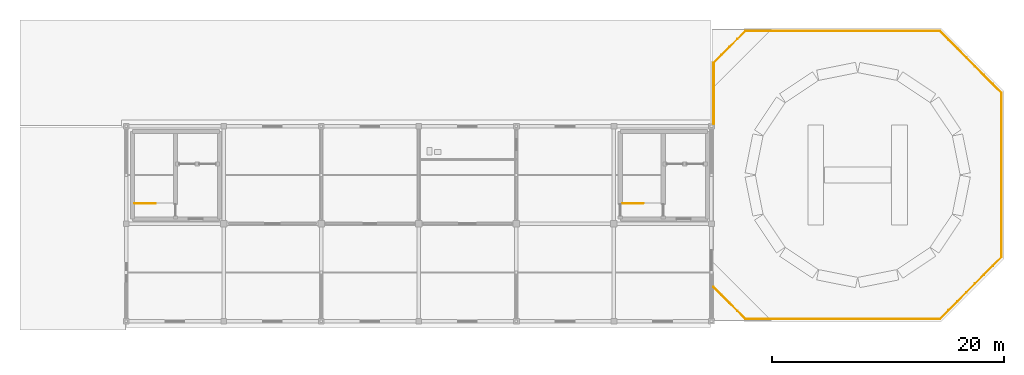
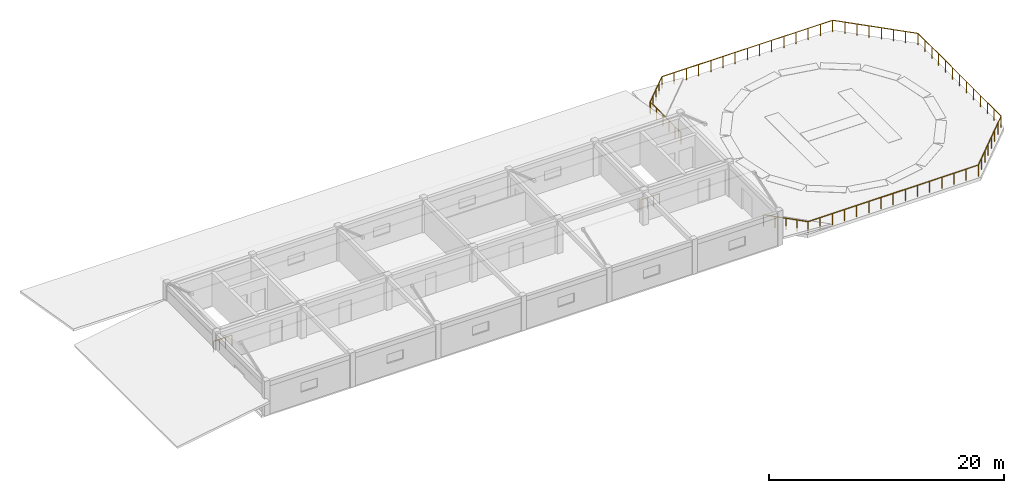
# One storey, part 4 of 5: 10 railings.
"""IFC4 building model written with IfcOpenShell, lengths in metres."""

import ifcopenshell
import ifcopenshell.guid

model = None  # the IFC model being written
_history = None  # IfcOwnerHistory: only IFC2X3 demands one
_inside = {}  # id of a spatial element -> (the spatial element, [elements in it])
_under = {}  # id of a project, library or spatial element -> (it, [spatial elements below it])
_declared = {}  # id of a project -> (the project, [libraries it declares])
_typed = {}  # id of a type object -> (the type object, [elements of that type])
_made_of = {}  # id of a material, layer set ... -> (it, [elements and type objects made of it])


def new_model(schema):
    """Start an empty IFC model of exactly this schema.

    Asked for "IFC4X3", IfcOpenShell would pick the latest addendum, in which some entities
    have other attributes; the version numbers below select the first issue.
    IFC2X3 requires an IfcOwnerHistory on every rooted entity: one is made here for all.
    """
    global model, _history
    if schema == "IFC4X3":
        model = ifcopenshell.file(schema_version=(4, 3, 0, 0))
    else:
        model = ifcopenshell.file(schema=schema)
    _inside.clear()
    _under.clear()
    _declared.clear()
    _typed.clear()
    _made_of.clear()
    _history = None
    if model.schema == "IFC2X3":
        org = make("IfcOrganization", Name="unknown")
        user = make(
            "IfcPersonAndOrganization",
            ThePerson=make("IfcPerson", FamilyName="unknown"),
            TheOrganization=org,
        )
        app = make(
            "IfcApplication",
            ApplicationDeveloper=org,
            Version="unknown",
            ApplicationFullName="unknown",
            ApplicationIdentifier="unknown",
        )
        _history = make(
            "IfcOwnerHistory",
            OwningUser=user,
            OwningApplication=app,
            ChangeAction="ADDED",
            CreationDate=0,
        )
    return model


def make(cls, **values):
    """One entity of the class cls with the attributes given. An attribute that is None is left unset."""
    return model.create_entity(
        cls, **{name: value for name, value in values.items() if value is not None}
    )


def rooted(cls, **values):
    """An entity with a GlobalId (a new one), such as an element, a storey or a relation."""
    return make(cls, GlobalId=ifcopenshell.guid.new(), OwnerHistory=_history, **values)


def si_unit(unit_type, name, prefix=None):
    """IfcSIUnit, for example si_unit("LENGTHUNIT", "METRE", prefix="MILLI")."""
    return make("IfcSIUnit", UnitType=unit_type, Prefix=prefix, Name=name)


def assignment(units):
    """IfcUnitAssignment: the units of a project."""
    return None if units is None else make("IfcUnitAssignment", Units=units)


def point(xyz):
    """IfcCartesianPoint."""
    return None if xyz is None else make("IfcCartesianPoint", Coordinates=xyz)


def direction(xyz):
    """IfcDirection."""
    return None if xyz is None else make("IfcDirection", DirectionRatios=xyz)


def frame(location, z_axis=None, x_axis=None):
    """IfcAxis2Placement3D, a coordinate frame: its origin and axes. An axis left out is left unset."""
    return make(
        "IfcAxis2Placement3D",
        Location=point(location),
        Axis=direction(z_axis),
        RefDirection=direction(x_axis),
    )


def frame_2d(location, x_axis=None):
    """IfcAxis2Placement2D, a coordinate frame in the plane: its origin and x axis."""
    return make(
        "IfcAxis2Placement2D", Location=point(location), RefDirection=direction(x_axis)
    )


def origin():
    """The frame at (0, 0, 0) with its axes left unset."""
    return frame((0.0, 0.0, 0.0))


def origin_2d():
    """The frame at (0, 0) in the plane with its x axis left unset."""
    return frame_2d((0.0, 0.0))


def place(relative_to, where):
    """IfcLocalPlacement: puts the frame where relative to a parent placement (None: the world)."""
    return make(
        "IfcLocalPlacement", PlacementRelTo=relative_to, RelativePlacement=where
    )


def context(
    kind, dimensions, precision=None, world=None, true_north=None, identifier=None
):
    """IfcGeometricRepresentationContext, for example the 3D "Model" context."""
    return make(
        "IfcGeometricRepresentationContext",
        ContextIdentifier=identifier,
        ContextType=kind,
        CoordinateSpaceDimension=dimensions,
        Precision=precision,
        WorldCoordinateSystem=world,
        TrueNorth=true_north,
    )


def subcontext(parent, identifier, kind, view, scale=None):
    """IfcGeometricRepresentationSubContext, for example "Body" below "Model"."""
    return make(
        "IfcGeometricRepresentationSubContext",
        ContextIdentifier=identifier,
        ContextType=kind,
        ParentContext=parent,
        TargetScale=scale,
        TargetView=view,
    )


def project(units=None, contexts=None):
    """IfcProject with its units and contexts."""
    return rooted(
        "IfcProject",
        Name="project",
        RepresentationContexts=contexts,
        UnitsInContext=assignment(units),
    )


def spatial(cls, under=None, at=None, **own):
    """A site, building, storey or space (cls), placed at a placement, below another one or the project."""
    s = rooted(cls, ObjectPlacement=at, **own)
    if under is not None:
        _under.setdefault(under.id(), (under, []))[1].append(s)
    return s


def profile(cls, at=None, kind="AREA", **sizes):
    """A parametric profile (cls). Its sizes go by their IFC names, for example OverallWidth=200.0."""
    return make(cls, ProfileType=kind, Position=at, **sizes)


def circle(**sizes):
    """IfcCircleProfileDef."""
    return profile("IfcCircleProfileDef", **sizes)


def extrude(swept, where, along, depth):
    """IfcExtrudedAreaSolid: the profile swept, set in the frame where, extruded along a direction by depth."""
    return make(
        "IfcExtrudedAreaSolid",
        SweptArea=swept,
        Position=where,
        ExtrudedDirection=direction(along),
        Depth=depth,
    )


def shape(context_of_items, identifier, shape_type, items):
    """IfcShapeRepresentation: the items that make up one representation, for example the "Body"."""
    return make(
        "IfcShapeRepresentation",
        ContextOfItems=context_of_items,
        RepresentationIdentifier=identifier,
        RepresentationType=shape_type,
        Items=items,
    )


def material(Name=None, Category=None):
    """IfcMaterial."""
    return make("IfcMaterial", Name=Name, Category=Category)


def made_of(thing, what):
    """Note that an element or type object is made of a material, layer set ...; save() writes the relation."""
    if what is not None:
        _made_of.setdefault(what.id(), (what, []))[1].append(thing)
    return thing


def type_object(cls, material=None, **own):
    """A type object (cls), such as IfcWallType, which elements share."""
    return made_of(rooted(cls, **own), material)


def element(
    cls,
    number,
    at=None,
    inside=None,
    cuts=None,
    type_object=None,
    material=None,
    context=None,
    identifier="Body",
    shape_type=None,
    held_by="IfcProductDefinitionShape",
    body=None,
    shapes=None,
    **own,
):
    """One element of the class cls, such as IfcWall. Its Tag is "e" and its number.

    at: its placement. inside: the storey or other place that contains it. cuts: it is an
    opening in that element (IfcRelVoidsElement). A single representation is given by context,
    identifier, shape_type and body (its items); several are given by shapes. held_by: the class
    of the entity that holds the representations. save() writes the other relations.
    """
    e = rooted(cls, Tag="e%d" % number, ObjectPlacement=at, **own)
    if body is not None:
        shapes = [shape(context, identifier, shape_type, body)]
    if shapes is not None:
        e.Representation = make(held_by, Representations=shapes)
    if inside is not None:
        _inside.setdefault(inside.id(), (inside, []))[1].append(e)
    if cuts is not None:
        rooted(
            "IfcRelVoidsElement", RelatingBuildingElement=cuts, RelatedOpeningElement=e
        )
    if type_object is not None:
        _typed.setdefault(type_object.id(), (type_object, []))[1].append(e)
    return made_of(e, material)


def aggregate(whole, parts):
    """IfcRelAggregates: a whole, such as a stair, and the parts it consists of."""
    return rooted("IfcRelAggregates", RelatingObject=whole, RelatedObjects=parts)


def save(model, path):
    """Write the relations noted so far, then the file.

    IfcRelAggregates (storeys below a building ...), IfcRelContainedInSpatialStructure (elements
    in a storey), IfcRelDefinesByType, IfcRelAssociatesMaterial and IfcRelDeclares: one each for
    every whole, place, type object, material and project.
    """
    for whole, parts in _under.values():
        aggregate(whole, parts)
    for where, things in _inside.values():
        rooted(
            "IfcRelContainedInSpatialStructure",
            RelatedElements=things,
            RelatingStructure=where,
        )
    for kind, things in _typed.values():
        rooted("IfcRelDefinesByType", RelatedObjects=things, RelatingType=kind)
    for what, things in _made_of.values():
        rooted("IfcRelAssociatesMaterial", RelatedObjects=things, RelatingMaterial=what)
    for by, libraries in _declared.values():
        rooted("IfcRelDeclares", RelatingContext=by, RelatedDefinitions=libraries)
    model.write(path)


model = new_model("IFC4")

# Units and contexts
model_context = context("Model", 3, precision=1e-05, world=origin(), true_north=direction((0.0, 1.0)))
body_context = subcontext(model_context, "Body", "Model", "MODEL_VIEW")
ifc_project = project(units=[si_unit("LENGTHUNIT", "METRE"), si_unit("AREAUNIT", "SQUARE_METRE"), si_unit("VOLUMEUNIT", "CUBIC_METRE"), si_unit("PLANEANGLEUNIT", "RADIAN"), si_unit("MASSUNIT", "GRAM", prefix="KILO")], contexts=[model_context])

# Site, building, storey
site_placement = place(None, origin())
site = spatial("IfcSite", under=ifc_project, at=site_placement, CompositionType="ELEMENT")
building_placement = place(site_placement, origin())
building = spatial("IfcBuilding", under=site, at=building_placement, Name="Trelvath General Hospital", CompositionType="ELEMENT")
storey_placement = place(building_placement, frame((0.0, 0.0, 33.0)))
storey = spatial("IfcBuildingStorey", under=building, at=storey_placement, Name="RF", CompositionType="ELEMENT", Elevation=33.0)

# Railings
ifc_material_1 = material(Name="Architectural painted steel", Category="steel")
railing_type_1 = type_object("IfcRailingType", Name="Guardrail Helipad1200", PredefinedType="GUARDRAIL", material=ifc_material_1)
railing_1_placement = place(storey_placement, frame((95.346923828125, 92.589111328125, 0.0)))
element("IfcRailing", 1, at=railing_1_placement, inside=storey, type_object=railing_type_1, Name="Helipad Octagon Guard 1 39", PredefinedType="GUARDRAIL", context=body_context, shape_type="SweptSolid", body=[
    extrude(circle(Radius=0.02392578125, at=origin_2d()), frame((0.0, 0.0, 1.17578125), z_axis=(0.999999369007, 0.001123381693, 0.0), x_axis=(-0.001123381693, 0.999999369007, 0.0)), (0.0, 0.0, 1.0), 16.734130859375),
    extrude(circle(Radius=0.02099609375, at=origin_2d()), origin(), (0.0, 0.0, 1.0), 1.14990234375),
    extrude(circle(Radius=0.02099609375, at=origin_2d()), frame((1.1953125, 0.00146484375, 0.0)), (0.0, 0.0, 1.0), 1.14990234375),
    extrude(circle(Radius=0.02099609375, at=origin_2d()), frame((2.390625, 0.002685546875, 0.0)), (0.0, 0.0, 1.0), 1.14990234375),
    extrude(circle(Radius=0.02099609375, at=origin_2d()), frame((3.5859375, 0.00390625, 0.0)), (0.0, 0.0, 1.0), 1.14990234375),
    extrude(circle(Radius=0.02099609375, at=origin_2d()), frame((4.78125, 0.00537109375, 0.0)), (0.0, 0.0, 1.0), 1.14990234375),
    extrude(circle(Radius=0.02099609375, at=origin_2d()), frame((5.9765625, 0.0068359375, 0.0)), (0.0, 0.0, 1.0), 1.14990234375),
    extrude(circle(Radius=0.02099609375, at=origin_2d()), frame((7.171875, 0.008056640625, 0.0)), (0.0, 0.0, 1.0), 1.14990234375),
    extrude(circle(Radius=0.02099609375, at=origin_2d()), frame((8.3671875, 0.00927734375, 0.0)), (0.0, 0.0, 1.0), 1.14990234375),
    extrude(circle(Radius=0.02099609375, at=origin_2d()), frame((9.562255859375, 0.0107421875, 0.0)), (0.0, 0.0, 1.0), 1.14990234375),
    extrude(circle(Radius=0.02099609375, at=origin_2d()), frame((10.757568359375, 0.01220703125, 0.0)), (0.0, 0.0, 1.0), 1.14990234375),
    extrude(circle(Radius=0.02099609375, at=origin_2d()), frame((11.952880859375, 0.013427734375, 0.0)), (0.0, 0.0, 1.0), 1.14990234375),
    extrude(circle(Radius=0.02099609375, at=origin_2d()), frame((13.148193359375, 0.0146484375, 0.0)), (0.0, 0.0, 1.0), 1.14990234375),
    extrude(circle(Radius=0.02099609375, at=origin_2d()), frame((14.343505859375, 0.01611328125, 0.0)), (0.0, 0.0, 1.0), 1.14990234375),
    extrude(circle(Radius=0.02099609375, at=origin_2d()), frame((15.538818359375, 0.017578125, 0.0)), (0.0, 0.0, 1.0), 1.14990234375),
    extrude(circle(Radius=0.02099609375, at=origin_2d()), frame((16.734130859375, 0.018798828125, 0.0)), (0.0, 0.0, 1.0), 1.14990234375),
])
railing_2_placement = place(storey_placement, frame((112.0810546875, 92.60791015625, 0.0)))
element("IfcRailing", 2, at=railing_2_placement, inside=storey, type_object=railing_type_1, Name="Helipad Octagon Guard 2 40", PredefinedType="GUARDRAIL", context=body_context, shape_type="SweptSolid", body=[
    extrude(circle(Radius=0.02392578125, at=origin_2d()), frame((0.0, 0.0, 1.17578125), z_axis=(0.707106781187, 0.707106781187, 0.0), x_axis=(-0.707106781187, 0.707106781187, 0.0)), (0.0, 0.0, 1.0), 7.510986328125),
    extrude(circle(Radius=0.02099609375, at=origin_2d()), origin(), (0.0, 0.0, 1.0), 1.14990234375),
    extrude(circle(Radius=0.02099609375, at=origin_2d()), frame((0.7587890625, 0.7587890625, 0.0)), (0.0, 0.0, 1.0), 1.14990234375),
    extrude(circle(Radius=0.02099609375, at=origin_2d()), frame((1.517333984375, 1.517333984375, 0.0)), (0.0, 0.0, 1.0), 1.14990234375),
    extrude(circle(Radius=0.02099609375, at=origin_2d()), frame((2.276123046875, 2.276123046875, 0.0)), (0.0, 0.0, 1.0), 1.14990234375),
    extrude(circle(Radius=0.02099609375, at=origin_2d()), frame((3.034912109375, 3.034912109375, 0.0)), (0.0, 0.0, 1.0), 1.14990234375),
    extrude(circle(Radius=0.02099609375, at=origin_2d()), frame((3.793701171875, 3.793701171875, 0.0)), (0.0, 0.0, 1.0), 1.14990234375),
    extrude(circle(Radius=0.02099609375, at=origin_2d()), frame((4.55224609375, 4.55224609375, 0.0)), (0.0, 0.0, 1.0), 1.14990234375),
    extrude(circle(Radius=0.02099609375, at=origin_2d()), frame((5.31103515625, 5.31103515625, 0.0)), (0.0, 0.0, 1.0), 1.14990234375),
])
railing_3_placement = place(storey_placement, frame((117.39208984375, 97.9189453125, 0.0)))
element("IfcRailing", 3, at=railing_3_placement, inside=storey, type_object=railing_type_1, Name="Helipad Octagon Guard 3 41", PredefinedType="GUARDRAIL", context=body_context, shape_type="SweptSolid", body=[
    extrude(circle(Radius=0.02392578125, at=origin_2d()), frame((0.0, 0.0, 1.17578125), z_axis=(0.0, 1.0, 0.0), x_axis=(-1.0, 0.0, 0.0)), (0.0, 0.0, 1.0), 14.162109375),
    extrude(circle(Radius=0.02099609375, at=origin_2d()), origin(), (0.0, 0.0, 1.0), 1.14990234375),
    extrude(circle(Radius=0.02099609375, at=origin_2d()), frame((0.0, 1.18017578125, 0.0)), (0.0, 0.0, 1.0), 1.14990234375),
    extrude(circle(Radius=0.02099609375, at=origin_2d()), frame((0.0, 2.3603515625, 0.0)), (0.0, 0.0, 1.0), 1.14990234375),
    extrude(circle(Radius=0.02099609375, at=origin_2d()), frame((0.0, 3.54052734375, 0.0)), (0.0, 0.0, 1.0), 1.14990234375),
    extrude(circle(Radius=0.02099609375, at=origin_2d()), frame((0.0, 4.720703125, 0.0)), (0.0, 0.0, 1.0), 1.14990234375),
    extrude(circle(Radius=0.02099609375, at=origin_2d()), frame((0.0, 5.90087890625, 0.0)), (0.0, 0.0, 1.0), 1.14990234375),
    extrude(circle(Radius=0.02099609375, at=origin_2d()), frame((0.0, 7.0810546875, 0.0)), (0.0, 0.0, 1.0), 1.14990234375),
    extrude(circle(Radius=0.02099609375, at=origin_2d()), frame((0.0, 8.26123046875, 0.0)), (0.0, 0.0, 1.0), 1.14990234375),
    extrude(circle(Radius=0.02099609375, at=origin_2d()), frame((0.0, 9.44140625, 0.0)), (0.0, 0.0, 1.0), 1.14990234375),
    extrude(circle(Radius=0.02099609375, at=origin_2d()), frame((0.0, 10.62158203125, 0.0)), (0.0, 0.0, 1.0), 1.14990234375),
    extrude(circle(Radius=0.02099609375, at=origin_2d()), frame((0.0, 11.8017578125, 0.0)), (0.0, 0.0, 1.0), 1.14990234375),
    extrude(circle(Radius=0.02099609375, at=origin_2d()), frame((0.0, 12.98193359375, 0.0)), (0.0, 0.0, 1.0), 1.14990234375),
    extrude(circle(Radius=0.02099609375, at=origin_2d()), frame((0.0, 14.162109375, 0.0)), (0.0, 0.0, 1.0), 1.14990234375),
])
railing_4_placement = place(storey_placement, frame((117.39208984375, 112.0810546875, 0.0)))
element("IfcRailing", 4, at=railing_4_placement, inside=storey, type_object=railing_type_1, Name="Helipad Octagon Guard 4 42", PredefinedType="GUARDRAIL", context=body_context, shape_type="SweptSolid", body=[
    extrude(circle(Radius=0.02392578125, at=origin_2d()), frame((0.0, 0.0, 1.17578125), z_axis=(-0.707106781187, 0.707106781187, 0.0), x_axis=(-0.707106781187, -0.707106781187, 0.0)), (0.0, 0.0, 1.0), 7.510986328125),
    extrude(circle(Radius=0.02099609375, at=origin_2d()), origin(), (0.0, 0.0, 1.0), 1.14990234375),
    extrude(circle(Radius=0.02099609375, at=origin_2d()), frame((-0.7587890625, 0.7587890625, 0.0)), (0.0, 0.0, 1.0), 1.14990234375),
    extrude(circle(Radius=0.02099609375, at=origin_2d()), frame((-1.517333984375, 1.517333984375, 0.0)), (0.0, 0.0, 1.0), 1.14990234375),
    extrude(circle(Radius=0.02099609375, at=origin_2d()), frame((-2.276123046875, 2.276123046875, 0.0)), (0.0, 0.0, 1.0), 1.14990234375),
    extrude(circle(Radius=0.02099609375, at=origin_2d()), frame((-3.034912109375, 3.034912109375, 0.0)), (0.0, 0.0, 1.0), 1.14990234375),
    extrude(circle(Radius=0.02099609375, at=origin_2d()), frame((-3.793701171875, 3.793701171875, 0.0)), (0.0, 0.0, 1.0), 1.14990234375),
    extrude(circle(Radius=0.02099609375, at=origin_2d()), frame((-4.55224609375, 4.55224609375, 0.0)), (0.0, 0.0, 1.0), 1.14990234375),
    extrude(circle(Radius=0.02099609375, at=origin_2d()), frame((-5.31103515625, 5.31103515625, 0.0)), (0.0, 0.0, 1.0), 1.14990234375),
])
railing_5_placement = place(storey_placement, frame((112.0810546875, 117.39208984375, 0.0)))
element("IfcRailing", 5, at=railing_5_placement, inside=storey, type_object=railing_type_1, Name="Helipad Octagon Guard 5 43", PredefinedType="GUARDRAIL", context=body_context, shape_type="SweptSolid", body=[
    extrude(circle(Radius=0.02392578125, at=origin_2d()), frame((0.0, 0.0, 1.17578125), z_axis=(-0.999999369007, 0.001123381693, 0.0), x_axis=(-0.001123381693, -0.999999369007, 0.0)), (0.0, 0.0, 1.0), 16.734130859375),
    extrude(circle(Radius=0.02099609375, at=origin_2d()), origin(), (0.0, 0.0, 1.0), 1.14990234375),
    extrude(circle(Radius=0.02099609375, at=origin_2d()), frame((-1.1953125, 0.00146484375, 0.0)), (0.0, 0.0, 1.0), 1.14990234375),
    extrude(circle(Radius=0.02099609375, at=origin_2d()), frame((-2.390625, 0.002685546875, 0.0)), (0.0, 0.0, 1.0), 1.14990234375),
    extrude(circle(Radius=0.02099609375, at=origin_2d()), frame((-3.5859375, 0.00390625, 0.0)), (0.0, 0.0, 1.0), 1.14990234375),
    extrude(circle(Radius=0.02099609375, at=origin_2d()), frame((-4.78125, 0.00537109375, 0.0)), (0.0, 0.0, 1.0), 1.14990234375),
    extrude(circle(Radius=0.02099609375, at=origin_2d()), frame((-5.9765625, 0.0068359375, 0.0)), (0.0, 0.0, 1.0), 1.14990234375),
    extrude(circle(Radius=0.02099609375, at=origin_2d()), frame((-7.171875, 0.008056640625, 0.0)), (0.0, 0.0, 1.0), 1.14990234375),
    extrude(circle(Radius=0.02099609375, at=origin_2d()), frame((-8.3671875, 0.00927734375, 0.0)), (0.0, 0.0, 1.0), 1.14990234375),
    extrude(circle(Radius=0.02099609375, at=origin_2d()), frame((-9.562255859375, 0.0107421875, 0.0)), (0.0, 0.0, 1.0), 1.14990234375),
    extrude(circle(Radius=0.02099609375, at=origin_2d()), frame((-10.757568359375, 0.01220703125, 0.0)), (0.0, 0.0, 1.0), 1.14990234375),
    extrude(circle(Radius=0.02099609375, at=origin_2d()), frame((-11.952880859375, 0.013427734375, 0.0)), (0.0, 0.0, 1.0), 1.14990234375),
    extrude(circle(Radius=0.02099609375, at=origin_2d()), frame((-13.148193359375, 0.0146484375, 0.0)), (0.0, 0.0, 1.0), 1.14990234375),
    extrude(circle(Radius=0.02099609375, at=origin_2d()), frame((-14.343505859375, 0.01611328125, 0.0)), (0.0, 0.0, 1.0), 1.14990234375),
    extrude(circle(Radius=0.02099609375, at=origin_2d()), frame((-15.538818359375, 0.017578125, 0.0)), (0.0, 0.0, 1.0), 1.14990234375),
    extrude(circle(Radius=0.02099609375, at=origin_2d()), frame((-16.734130859375, 0.018798828125, 0.0)), (0.0, 0.0, 1.0), 1.14990234375),
])
railing_6_placement = place(storey_placement, frame((95.346923828125, 117.410888671875, 0.0)))
element("IfcRailing", 6, at=railing_6_placement, inside=storey, type_object=railing_type_1, Name="Helipad Octagon Guard 6 44", PredefinedType="GUARDRAIL", context=body_context, shape_type="SweptSolid", body=[
    extrude(circle(Radius=0.02392578125, at=origin_2d()), frame((0.0, 0.0, 1.17578125), z_axis=(-0.707106781187, -0.707106781187, 0.0), x_axis=(0.707106781187, -0.707106781187, 0.0)), (0.0, 0.0, 1.0), 3.900146484375),
    extrude(circle(Radius=0.02099609375, at=origin_2d()), origin(), (0.0, 0.0, 1.0), 1.14990234375),
    extrude(circle(Radius=0.02099609375, at=origin_2d()), frame((-0.689453125, -0.689453125, 0.0)), (0.0, 0.0, 1.0), 1.14990234375),
    extrude(circle(Radius=0.02099609375, at=origin_2d()), frame((-1.37890625, -1.37890625, 0.0)), (0.0, 0.0, 1.0), 1.14990234375),
    extrude(circle(Radius=0.02099609375, at=origin_2d()), frame((-2.068359375, -2.068359375, 0.0)), (0.0, 0.0, 1.0), 1.14990234375),
    extrude(circle(Radius=0.02099609375, at=origin_2d()), frame((-2.7578125, -2.7578125, 0.0)), (0.0, 0.0, 1.0), 1.14990234375),
])
railing_7_placement = place(storey_placement, frame((92.60009765625, 109.39990234375, 0.0)))
element("IfcRailing", 7, at=railing_7_placement, inside=storey, type_object=railing_type_1, Name="Helipad Guard NW Return 45", PredefinedType="GUARDRAIL", context=body_context, shape_type="SweptSolid", body=[
    extrude(circle(Radius=0.02392578125, at=origin_2d()), frame((0.0, 0.0, 1.17578125), z_axis=(0.0, 1.0, 0.0), x_axis=(-1.0, 0.0, 0.0)), (0.0, 0.0, 1.0), 5.2001953125),
    extrude(circle(Radius=0.02099609375, at=origin_2d()), origin(), (0.0, 0.0, 1.0), 1.14990234375),
    extrude(circle(Radius=0.02099609375, at=origin_2d()), frame((0.0, 1.0400390625, 0.0)), (0.0, 0.0, 1.0), 1.14990234375),
    extrude(circle(Radius=0.02099609375, at=origin_2d()), frame((0.0, 2.080078125, 0.0)), (0.0, 0.0, 1.0), 1.14990234375),
    extrude(circle(Radius=0.02099609375, at=origin_2d()), frame((0.0, 3.1201171875, 0.0)), (0.0, 0.0, 1.0), 1.14990234375),
    extrude(circle(Radius=0.02099609375, at=origin_2d()), frame((0.0, 4.16015625, 0.0)), (0.0, 0.0, 1.0), 1.14990234375),
    extrude(circle(Radius=0.02099609375, at=origin_2d()), frame((0.0, 5.2001953125, 0.0)), (0.0, 0.0, 1.0), 1.14990234375),
])
railing_8_placement = place(storey_placement, frame((92.589111328125, 95.346923828125, 0.0)))
element("IfcRailing", 8, at=railing_8_placement, inside=storey, type_object=railing_type_1, Name="Helipad Octagon Guard 8 46", PredefinedType="GUARDRAIL", context=body_context, shape_type="SweptSolid", body=[
    extrude(circle(Radius=0.02392578125, at=origin_2d()), frame((0.0, 0.0, 1.17578125), z_axis=(0.707106781187, -0.707106781187, 0.0), x_axis=(0.707106781187, 0.707106781187, 0.0)), (0.0, 0.0, 1.0), 3.900146484375),
    extrude(circle(Radius=0.02099609375, at=origin_2d()), origin(), (0.0, 0.0, 1.0), 1.14990234375),
    extrude(circle(Radius=0.02099609375, at=origin_2d()), frame((0.689453125, -0.689453125, 0.0)), (0.0, 0.0, 1.0), 1.14990234375),
    extrude(circle(Radius=0.02099609375, at=origin_2d()), frame((1.37890625, -1.37890625, 0.0)), (0.0, 0.0, 1.0), 1.14990234375),
    extrude(circle(Radius=0.02099609375, at=origin_2d()), frame((2.068359375, -2.068359375, 0.0)), (0.0, 0.0, 1.0), 1.14990234375),
    extrude(circle(Radius=0.02099609375, at=origin_2d()), frame((2.7578125, -2.7578125, 0.0)), (0.0, 0.0, 1.0), 1.14990234375),
])
ifc_material_2 = material(Name="Architectural painted steel", Category="steel")
railing_type_2 = type_object("IfcRailingType", Name="Guardrail Terrace1150", PredefinedType="GUARDRAIL", material=ifc_material_2)
for number, where, name in (
    (9, (42.72998046875, 102.56005859375, 0.0), "Stair Well Edge Guard C1 RF 48"),
    (10, (84.72998046875, 102.56005859375, 0.0), "Stair Well Edge Guard C2 RF 96"),
):
    element("IfcRailing", number, at=place(storey_placement, frame(where)), inside=storey, type_object=railing_type_2, Name=name, PredefinedType="GUARDRAIL", context=body_context, shape_type="SweptSolid", body=[
        extrude(circle(Radius=0.02392578125, at=origin_2d()), frame((0.0, 0.0, 1.1259765625), z_axis=(1.0, 0.0, 0.0), x_axis=(0.0, 1.0, 0.0)), (0.0, 0.0, 1.0), 1.800048828125),
        extrude(circle(Radius=0.02099609375, at=origin_2d()), origin(), (0.0, 0.0, 1.0), 1.099853515625),
        extrude(circle(Radius=0.02099609375, at=origin_2d()), frame((0.60009765625, 0.0, 0.0)), (0.0, 0.0, 1.0), 1.099853515625),
        extrude(circle(Radius=0.02099609375, at=origin_2d()), frame((1.199951171875, 0.0, 0.0)), (0.0, 0.0, 1.0), 1.099853515625),
        extrude(circle(Radius=0.02099609375, at=origin_2d()), frame((1.800048828125, 0.0, 0.0)), (0.0, 0.0, 1.0), 1.099853515625),
    ])

save(model, "model.ifc")
